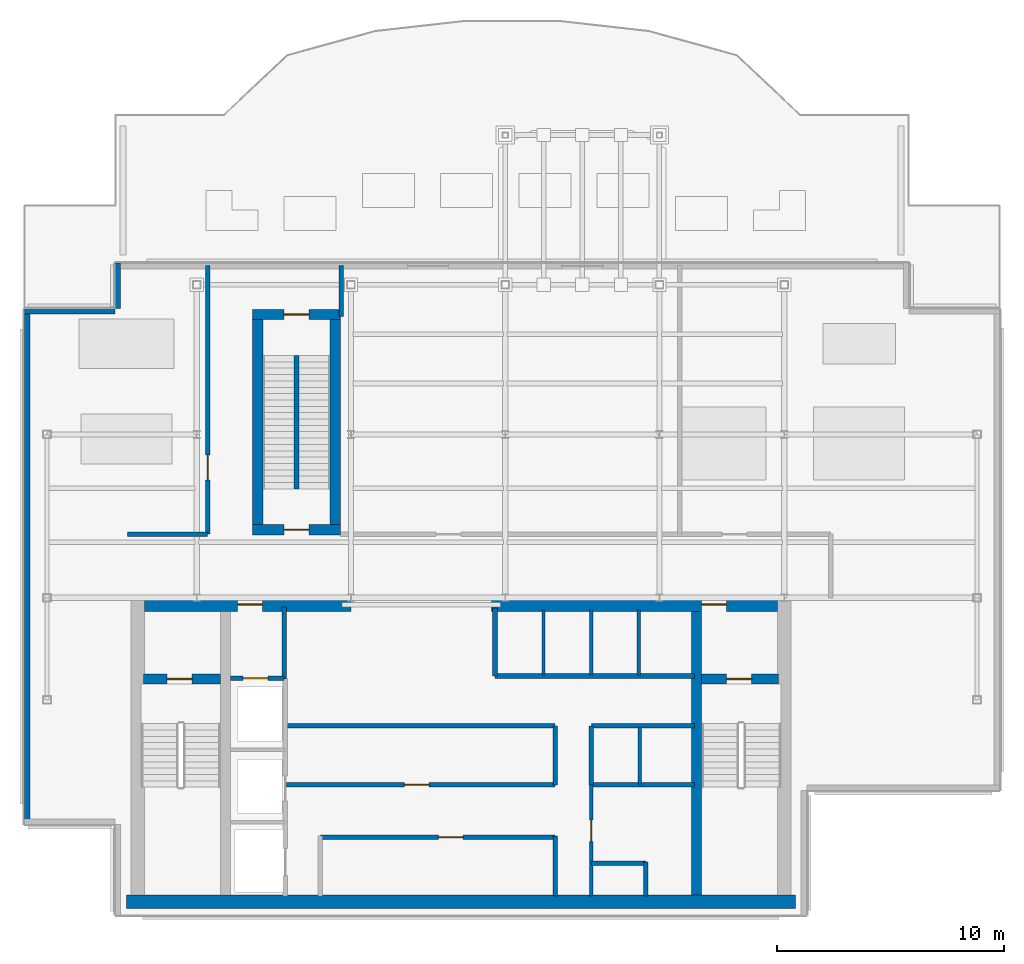
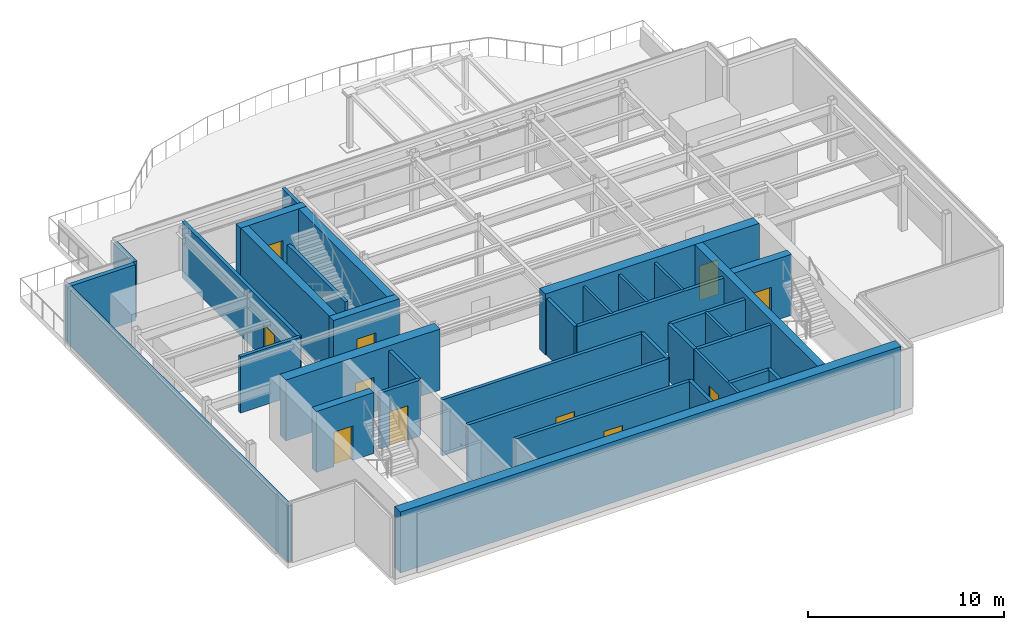
# One storey, part 4 of 9: 36 walls, 11 doors, 11 openings.
"""IFC4 building model written with IfcOpenShell, lengths in metres."""

from ifc_helpers import new_model, si_unit, derived_unit, direction, frame, frame_2d, origin, place, context, subcontext, project, spatial, rectangle, extrude, source, transform, mapped, material, layer, layer_set, type_object, element, fill, save


model = new_model("IFC4")

# Units and contexts
model_context = context("Model", 3, precision=1e-05, world=origin(), true_north=direction((0.0, 1.0)))
body_context = subcontext(model_context, "Body", "Model", "MODEL_VIEW")
ifc_project = project(units=[si_unit("LENGTHUNIT", "METRE"), si_unit("AREAUNIT", "SQUARE_METRE"), si_unit("VOLUMEUNIT", "CUBIC_METRE"), si_unit("PLANEANGLEUNIT", "RADIAN"), si_unit("MASSUNIT", "GRAM", prefix="KILO"), derived_unit("THERMALTRANSMITTANCEUNIT", [(si_unit("POWERUNIT", "WATT"), 1), (si_unit("LENGTHUNIT", "METRE"), -2), (si_unit("THERMODYNAMICTEMPERATUREUNIT", "KELVIN"), -1)])], contexts=[model_context])

# Site, building, storey
site_placement = place(None, origin())
site = spatial("IfcSite", under=ifc_project, at=site_placement, CompositionType="ELEMENT")
building_placement = place(site_placement, origin())
building = spatial("IfcBuilding", under=site, at=building_placement, Name="Skarnbrae Concourse Arena and Tower", CompositionType="ELEMENT")
storey_placement = place(building_placement, frame((0.0, 0.0, 292.25)))
storey = spatial("IfcBuildingStorey", under=building, at=storey_placement, Name="L76", CompositionType="ELEMENT", Elevation=292.25)

# Wall
ifc_material_1 = material(Name="Concrete 50 MPa (C50/60)", Category="concrete")
ifc_layer_1 = layer(ifc_material_1, 0.60009765625)
ifc_layer_set_1 = layer_set([ifc_layer_1], Name="Concrete 50 MPa (C50/60)")
wall_type_1 = type_object("IfcWallType", Name="WALL-CORE-600-C50", PredefinedType="SHEAR", material=ifc_layer_set_1)
shared_shape_1 = source(origin(), body_context, "Body", "SweptSolid", [
    extrude(rectangle(XDim=29.5, YDim=0.60009765625, at=frame_2d((14.75, 0.0))), origin(), (0.0, 0.0, 1.0), 3.800048828125),
])
wall_1_placement = place(storey_placement, frame((4.5, 0.60009765625, 0.0), z_axis=(0.0, 0.0, 1.0), x_axis=(1.0, 0.0, 0.0)))
element("IfcWall", 1, at=wall_1_placement, inside=storey, type_object=wall_type_1, Name="L76 Rear core shear wall CW-S", PredefinedType="SHEAR", context=body_context, shape_type="MappedRepresentation", body=[
    mapped(shared_shape_1, transform((0.0, 0.0, 0.0))),
])

# Wall, opening, door
shared_shape_2 = source(origin(), body_context, "Body", "SweptSolid", [
    extrude(rectangle(XDim=9.099853515625, YDim=0.60009765625, at=frame_2d((4.5498046875, 0.0))), origin(), (0.0, 0.0, 1.0), 3.800048828125),
])
wall_2_placement = place(storey_placement, frame((5.300048828125, 13.699951171875, 0.0), z_axis=(0.0, 0.0, 1.0), x_axis=(1.0, 0.0, 0.0)))
wall_2 = element("IfcWall", 2, at=wall_2_placement, inside=storey, type_object=wall_type_1, Name="L76 Rear core shear wall CW-NW", PredefinedType="SHEAR", context=body_context, shape_type="MappedRepresentation", body=[
    mapped(shared_shape_2, transform((0.0, 0.0, 0.0))),
])
opening_1_placement = place(wall_2_placement, frame((4.10009765625, 0.0, 0.0)))
opening_1 = element("IfcOpeningElement", 3, at=opening_1_placement, cuts=wall_2, Name="Opening DT-03", PredefinedType="OPENING", context=body_context, shape_type="SweptSolid", body=[
    extrude(rectangle(XDim=1.10009765625, YDim=2.14990234375, at=frame_2d((0.550048828125, 1.074951171875))), frame((0.0, 0.31005859375, 0.0), z_axis=(0.0, -1.0, 0.0), x_axis=(1.0, 0.0, 0.0)), (0.0, 0.0, 1.0), 0.6201171875),
])
ifc_material_2 = material(Name="Steel CSA G40.21 350W", Category="steel")
door_type_1 = type_object("IfcDoorType", Name="DOOR-FIRE-1100-90M", OperationType="NOTDEFINED", PredefinedType="DOOR", material=ifc_material_2)
shared_shape_3 = source(origin(), body_context, "Body", "SweptSolid", [
    extrude(rectangle(XDim=1.10009765625, YDim=2.14990234375, at=frame_2d((0.550048828125, 1.074951171875))), frame((0.0, 0.02490234375, 0.0), z_axis=(0.0, -1.0, 0.0), x_axis=(1.0, 0.0, 0.0)), (0.0, 0.0, 1.0), 0.050048828125),
])
door_1_placement = place(opening_1_placement, origin())
door_1 = element("IfcDoor", 4, at=door_1_placement, inside=storey, type_object=door_type_1, Name="D-2295 Firefighting Lobby Exit Door", OperationType="SINGLE_SWING_RIGHT", OverallHeight=2.14990234375, OverallWidth=1.10009765625, PredefinedType="DOOR", context=body_context, shape_type="MappedRepresentation", body=[
    mapped(shared_shape_3, transform((0.0, 0.0, 0.0))),
])
fill(opening_1, door_1)

shared_shape_4 = source(origin(), body_context, "Body", "SweptSolid", [
    extrude(rectangle(XDim=12.599853515625, YDim=0.60009765625, at=frame_2d((6.2998046875, 0.0))), origin(), (0.0, 0.0, 1.0), 3.800048828125),
])
wall_3_placement = place(storey_placement, frame((20.60009765625, 13.699951171875, 0.0), z_axis=(0.0, 0.0, 1.0), x_axis=(1.0, 0.0, 0.0)))
wall_3 = element("IfcWall", 5, at=wall_3_placement, inside=storey, type_object=wall_type_1, Name="L76 Rear core shear wall CW-NE", PredefinedType="SHEAR", context=body_context, shape_type="MappedRepresentation", body=[
    mapped(shared_shape_4, transform((0.0, 0.0, 0.0))),
])
opening_2_placement = place(wall_3_placement, frame((9.25, 0.0, 0.0)))
opening_2 = element("IfcOpeningElement", 6, at=opening_2_placement, cuts=wall_3, Name="Opening DT-03", PredefinedType="OPENING", context=body_context, shape_type="SweptSolid", body=[
    extrude(rectangle(XDim=1.10009765625, YDim=2.14990234375, at=frame_2d((0.550048828125, 1.074951171875))), frame((0.0, 0.31005859375, 0.0), z_axis=(0.0, -1.0, 0.0), x_axis=(1.0, 0.0, 0.0)), (0.0, 0.0, 1.0), 0.6201171875),
])
door_2_placement = place(opening_2_placement, origin())
door_2 = element("IfcDoor", 7, at=door_2_placement, inside=storey, type_object=door_type_1, Name="D-2296 Stair ST-2 Vestibule Door", OperationType="SINGLE_SWING_LEFT", OverallHeight=2.14990234375, OverallWidth=1.10009765625, PredefinedType="DOOR", context=body_context, shape_type="MappedRepresentation", body=[
    mapped(shared_shape_3, transform((0.0, 0.0, 0.0))),
])
fill(opening_2, door_2)

# Wall
ifc_layer_2 = layer(ifc_material_1, 0.449951171875)
ifc_layer_set_2 = layer_set([ifc_layer_2], Name="Concrete 50 MPa (C50/60)")
wall_type_2 = type_object("IfcWallType", Name="WALL-CORE-450-C50", PredefinedType="SHEAR", material=ifc_layer_set_2)
shared_shape_5 = source(origin(), body_context, "Body", "SweptSolid", [
    extrude(rectangle(XDim=12.5, YDim=0.449951171875, at=frame_2d((6.25, 0.0))), origin(), (0.0, 0.0, 1.0), 3.800048828125),
])
wall_4_placement = place(storey_placement, frame((29.635009765625, 0.89990234375, 0.0), z_axis=(0.0, 0.0, 1.0), x_axis=(0.0, 1.0, 0.0)))
element("IfcWall", 8, at=wall_4_placement, inside=storey, type_object=wall_type_2, Name="L76 Rear core shear wall CW-WEB-E", PredefinedType="SHEAR", context=body_context, shape_type="MappedRepresentation", body=[
    mapped(shared_shape_5, transform((0.0, 0.0, 0.0))),
])

# Wall, opening, door
shared_shape_6 = source(origin(), body_context, "Body", "SweptSolid", [
    extrude(rectangle(XDim=3.389892578125, YDim=0.449951171875, at=frame_2d((1.69482421875, 0.0))), origin(), (0.0, 0.0, 1.0), 3.800048828125),
])
wall_5_placement = place(storey_placement, frame((5.25, 10.419921875, 0.0), z_axis=(0.0, 0.0, 1.0), x_axis=(1.0, 0.0, 0.0)))
wall_5 = element("IfcWall", 9, at=wall_5_placement, inside=storey, type_object=wall_type_2, Name="L76 Rear core shear wall CW-ST1-N", PredefinedType="SHEAR", context=body_context, shape_type="MappedRepresentation", body=[
    mapped(shared_shape_6, transform((0.0, 0.0, 0.0))),
])
opening_3_placement = place(wall_5_placement, frame((1.050048828125, 0.0, 0.0)))
opening_3 = element("IfcOpeningElement", 10, at=opening_3_placement, cuts=wall_5, Name="Opening DT-03", PredefinedType="OPENING", context=body_context, shape_type="SweptSolid", body=[
    extrude(rectangle(XDim=1.10009765625, YDim=2.14990234375, at=frame_2d((0.550048828125, 1.074951171875))), frame((0.0, 0.23486328125, 0.0), z_axis=(0.0, -1.0, 0.0), x_axis=(1.0, 0.0, 0.0)), (0.0, 0.0, 1.0), 0.469970703125),
])
door_3_placement = place(opening_3_placement, frame((1.10009765625, 0.0, 0.0), z_axis=(0.0, 0.0, 1.0), x_axis=(-1.0, 0.0, 0.0)))
door_3 = element("IfcDoor", 11, at=door_3_placement, inside=storey, type_object=door_type_1, Name="D-2293 Stair ST-1 Door", OperationType="SINGLE_SWING_LEFT", OverallHeight=2.14990234375, OverallWidth=1.10009765625, PredefinedType="DOOR", context=body_context, shape_type="MappedRepresentation", body=[
    mapped(shared_shape_3, transform((0.0, 0.0, 0.0))),
])
fill(opening_3, door_3)

wall_6_placement = place(storey_placement, frame((29.860107421875, 10.419921875, 0.0), z_axis=(0.0, 0.0, 1.0), x_axis=(1.0, 0.0, 0.0)))
wall_6 = element("IfcWall", 12, at=wall_6_placement, inside=storey, type_object=wall_type_2, Name="L76 Rear core shear wall CW-ST2-N", PredefinedType="SHEAR", context=body_context, shape_type="MappedRepresentation", body=[
    mapped(shared_shape_6, transform((0.0, 0.0, 0.0))),
])
opening_4_placement = place(wall_6_placement, frame((1.10009765625, 0.0, 0.0)))
opening_4 = element("IfcOpeningElement", 13, at=opening_4_placement, cuts=wall_6, Name="Opening DT-03", PredefinedType="OPENING", context=body_context, shape_type="SweptSolid", body=[
    extrude(rectangle(XDim=1.10009765625, YDim=2.14990234375, at=frame_2d((0.550048828125, 1.074951171875))), frame((0.0, 0.23486328125, 0.0), z_axis=(0.0, -1.0, 0.0), x_axis=(1.0, 0.0, 0.0)), (0.0, 0.0, 1.0), 0.469970703125),
])
door_4_placement = place(opening_4_placement, frame((1.10009765625, 0.0, 0.0), z_axis=(0.0, 0.0, 1.0), x_axis=(-1.0, 0.0, 0.0)))
door_4 = element("IfcDoor", 14, at=door_4_placement, inside=storey, type_object=door_type_1, Name="D-2294 Stair ST-2 Door", OperationType="SINGLE_SWING_RIGHT", OverallHeight=2.14990234375, OverallWidth=1.10009765625, PredefinedType="DOOR", context=body_context, shape_type="MappedRepresentation", body=[
    mapped(shared_shape_3, transform((0.0, 0.0, 0.0))),
])
fill(opening_4, door_4)

# Walls
ifc_material_3 = material(Name="Precast concrete 40 MPa (C40/50)", Category="concrete")
ifc_layer_3 = layer(ifc_material_3, 0.25)
ifc_layer_set_3 = layer_set([ifc_layer_3], Name="Precast concrete 40 MPa (C40/50)")
wall_type_3 = type_object("IfcWallType", Name="WALL-CROWN-BRONZE-250", PredefinedType="STANDARD", material=ifc_layer_set_3)
shared_shape_7 = source(origin(), body_context, "Body", "SweptSolid", [
    extrude(rectangle(XDim=4.0, YDim=0.25, at=frame_2d((2.0, 0.0))), origin(), (0.0, 0.0, 1.0), 3.5),
])
wall_7_placement = place(storey_placement, frame((4.0, 26.625, 0.0), z_axis=(0.0, 0.0, 1.0), x_axis=(-1.0, 0.0, 0.0)))
element("IfcWall", 15, at=wall_7_placement, inside=storey, type_object=wall_type_3, Name="L76 Crown enclosure wall 09", PredefinedType="STANDARD", context=body_context, shape_type="MappedRepresentation", body=[
    mapped(shared_shape_7, transform((0.0, 0.0, 0.0))),
])
shared_shape_8 = source(origin(), body_context, "Body", "SweptSolid", [
    extrude(rectangle(XDim=2.0, YDim=0.25, at=frame_2d((1.0, 0.0))), origin(), (0.0, 0.0, 1.0), 3.5),
])
wall_8_placement = place(storey_placement, frame((4.125, 28.75, 0.0), z_axis=(0.0, 0.0, 1.0), x_axis=(0.0, -1.0, 0.0)))
element("IfcWall", 16, at=wall_8_placement, inside=storey, type_object=wall_type_3, Name="L76 Crown enclosure wall 08", PredefinedType="STANDARD", context=body_context, shape_type="MappedRepresentation", body=[
    mapped(shared_shape_8, transform((0.0, 0.0, 0.0))),
])
shared_shape_9 = source(origin(), body_context, "Body", "SweptSolid", [
    extrude(rectangle(XDim=22.75, YDim=0.25, at=frame_2d((11.375, 0.0))), origin(), (0.0, 0.0, 1.0), 3.5),
])
wall_9_placement = place(storey_placement, frame((0.125, 26.75, 0.0), z_axis=(0.0, 0.0, 1.0), x_axis=(0.0, -1.0, 0.0)))
element("IfcWall", 17, at=wall_9_placement, inside=storey, type_object=wall_type_3, Name="L76 Crown enclosure wall 10", PredefinedType="STANDARD", context=body_context, shape_type="MappedRepresentation", body=[
    mapped(shared_shape_9, transform((0.0, 0.0, 0.0))),
])

# Wall, opening, door
shared_shape_10 = source(origin(), body_context, "Body", "SweptSolid", [
    extrude(rectangle(XDim=3.89990234375, YDim=0.449951171875, at=frame_2d((1.949951171875, 0.0))), origin(), (0.0, 0.0, 1.0), 3.800048828125),
])
wall_10_placement = place(storey_placement, frame((10.050048828125, 16.9951171875, 0.0), z_axis=(0.0, 0.0, 1.0), x_axis=(1.0, 0.0, 0.0)))
wall_10 = element("IfcWall", 18, at=wall_10_placement, inside=storey, type_object=wall_type_2, Name="L76 Protected stair shaft wall ST-CRWN-S", PredefinedType="SHEAR", context=body_context, shape_type="MappedRepresentation", body=[
    mapped(shared_shape_10, transform((0.0, 0.0, 0.0))),
])
opening_5_placement = place(wall_10_placement, frame((1.39990234375, 0.0, 0.0)))
opening_5 = element("IfcOpeningElement", 19, at=opening_5_placement, cuts=wall_10, Name="Opening DT-03", PredefinedType="OPENING", context=body_context, shape_type="SweptSolid", body=[
    extrude(rectangle(XDim=1.10009765625, YDim=2.14990234375, at=frame_2d((0.550048828125, 1.074951171875))), frame((0.0, 0.23486328125, 0.0), z_axis=(0.0, -1.0, 0.0), x_axis=(1.0, 0.0, 0.0)), (0.0, 0.0, 1.0), 0.469970703125),
])
door_5_placement = place(opening_5_placement, origin())
door_5 = element("IfcDoor", 20, at=door_5_placement, inside=storey, type_object=door_type_1, Name="D-2306 Exit Stair ST-CRWN Door", OperationType="SINGLE_SWING_LEFT", OverallHeight=2.14990234375, OverallWidth=1.10009765625, PredefinedType="DOOR", context=body_context, shape_type="MappedRepresentation", body=[
    mapped(shared_shape_3, transform((0.0, 0.0, 0.0))),
])
fill(opening_5, door_5)

wall_11_placement = place(storey_placement, frame((10.050048828125, 26.485107421875, 0.0), z_axis=(0.0, 0.0, 1.0), x_axis=(1.0, 0.0, 0.0)))
wall_11 = element("IfcWall", 21, at=wall_11_placement, inside=storey, type_object=wall_type_2, Name="L76 Protected stair shaft wall ST-CRWN-N", PredefinedType="SHEAR", context=body_context, shape_type="MappedRepresentation", body=[
    mapped(shared_shape_10, transform((0.0, 0.0, 0.0))),
])
opening_6_placement = place(wall_11_placement, frame((1.39990234375, 0.0, 0.0)))
opening_6 = element("IfcOpeningElement", 22, at=opening_6_placement, cuts=wall_11, Name="Opening DT-03", PredefinedType="OPENING", context=body_context, shape_type="SweptSolid", body=[
    extrude(rectangle(XDim=1.10009765625, YDim=2.14990234375, at=frame_2d((0.550048828125, 1.074951171875))), frame((0.0, 0.23486328125, 0.0), z_axis=(0.0, -1.0, 0.0), x_axis=(1.0, 0.0, 0.0)), (0.0, 0.0, 1.0), 0.469970703125),
])
door_6_placement = place(opening_6_placement, frame((1.10009765625, 0.0, 0.0), z_axis=(0.0, 0.0, 1.0), x_axis=(-1.0, 0.0, 0.0)))
door_6 = element("IfcDoor", 23, at=door_6_placement, inside=storey, type_object=door_type_1, Name="D-2307 Exit Stair ST-CRWN North Door", OperationType="SINGLE_SWING_RIGHT", OverallHeight=2.14990234375, OverallWidth=1.10009765625, PredefinedType="DOOR", context=body_context, shape_type="MappedRepresentation", body=[
    mapped(shared_shape_3, transform((0.0, 0.0, 0.0))),
])
fill(opening_6, door_6)

# Walls
shared_shape_11 = source(origin(), body_context, "Body", "SweptSolid", [
    extrude(rectangle(XDim=9.080078125, YDim=0.449951171875, at=frame_2d((4.5400390625, 0.0))), origin(), (0.0, 0.0, 1.0), 3.800048828125),
])
for number, where, z_axis, x_axis, name in (
    (24, (10.294921875, 17.199951171875, 0.0), (0.0, 0.0, 1.0), (0.0, 1.0, 0.0), "L76 Protected stair shaft wall ST-CRWN-W"),
    (25, (13.705078125, 17.199951171875, 0.0), (0.0, 0.0, 1.0), (0.0, 1.0, 0.0), "L76 Protected stair shaft wall ST-CRWN-E"),
):
    element("IfcWall", number, at=place(storey_placement, frame(where, z_axis=z_axis, x_axis=x_axis)), inside=storey, type_object=wall_type_2, Name=name, PredefinedType="SHEAR", context=body_context, shape_type="MappedRepresentation", body=[
        mapped(shared_shape_11, transform((0.0, 0.0, 0.0))),
    ])
ifc_material_4 = material(Name="Gypsum board on cold-formed steel studs", Category="steel")
ifc_layer_4 = layer(ifc_material_4, 0.199951171875)
ifc_layer_set_4 = layer_set([ifc_layer_4], Name="Gypsum board on cold-formed steel studs")
wall_type_4 = type_object("IfcWallType", Name="WALL-PART-200-2HR", PredefinedType="PARTITIONING", material=ifc_layer_set_4)
shared_shape_12 = source(origin(), body_context, "Body", "SweptSolid", [
    extrude(rectangle(XDim=5.8798828125, YDim=0.199951171875, at=frame_2d((2.93994140625, 0.0))), origin(), (0.0, 0.0, 1.0), 3.080078125),
])
wall_12_placement = place(storey_placement, frame((12.0, 18.800048828125, 0.0), z_axis=(0.0, 0.0, 1.0), x_axis=(0.0, 1.0, 0.0)))
element("IfcWall", 26, at=wall_12_placement, inside=storey, type_object=wall_type_4, Name="L76 Scissor stair dividing wall ST-CRWN", PredefinedType="PARTITIONING", context=body_context, shape_type="MappedRepresentation", body=[
    mapped(shared_shape_12, transform((0.0, 0.0, 0.0))),
])
shared_shape_13 = source(origin(), body_context, "Body", "SweptSolid", [
    extrude(rectangle(XDim=3.18017578125, YDim=0.199951171875, at=frame_2d((1.590087890625, 0.0))), origin(), (0.0, 0.0, 1.0), 3.5),
])
wall_13_placement = place(storey_placement, frame((11.449951171875, 10.419921875, 0.0), z_axis=(0.0, 0.0, 1.0), x_axis=(0.0, 1.0, 0.0)))
element("IfcWall", 27, at=wall_13_placement, inside=storey, type_object=wall_type_4, Name="L76 Interior partition wall W-L76-FFL-E", PredefinedType="PARTITIONING", context=body_context, shape_type="MappedRepresentation", body=[
    mapped(shared_shape_13, transform((0.0, 0.0, 0.0))),
])

# Wall, opening, door
shared_shape_14 = source(origin(), body_context, "Body", "SweptSolid", [
    extrude(rectangle(XDim=2.349853515625, YDim=0.199951171875, at=frame_2d((1.1748046875, 0.0))), origin(), (0.0, 0.0, 1.0), 3.5),
])
wall_14_placement = place(storey_placement, frame((9.10009765625, 10.449951171875, 0.0), z_axis=(0.0, 0.0, 1.0), x_axis=(1.0, 0.0, 0.0)))
wall_14 = element("IfcWall", 28, at=wall_14_placement, inside=storey, type_object=wall_type_4, Name="L76 Interior partition wall W-L76-FL1-N", PredefinedType="PARTITIONING", context=body_context, shape_type="MappedRepresentation", body=[
    mapped(shared_shape_14, transform((0.0, 0.0, 0.0))),
])
opening_7_placement = place(wall_14_placement, frame((0.550048828125, 0.0, 0.0)))
opening_7 = element("IfcOpeningElement", 29, at=opening_7_placement, cuts=wall_14, Name="Opening LD-01", PredefinedType="OPENING", context=body_context, shape_type="SweptSolid", body=[
    extrude(rectangle(XDim=1.10009765625, YDim=2.14990234375, at=frame_2d((0.550048828125, 1.074951171875))), frame((0.0, 0.10986328125, 0.0), z_axis=(0.0, -1.0, 0.0), x_axis=(1.0, 0.0, 0.0)), (0.0, 0.0, 1.0), 0.219970703125),
])
door_type_2 = type_object("IfcDoorType", Name="DOOR-LIFT-SLIDE-1100", OperationType="SLIDING_TO_LEFT", PredefinedType="DOOR", material=ifc_material_2)
door_7_placement = place(opening_7_placement, origin())
door_7 = element("IfcDoor", 30, at=door_7_placement, inside=storey, type_object=door_type_2, Name="D-2297 Firefighting Lift Landing Door FL-01", OperationType="SLIDING_TO_LEFT", OverallHeight=2.14990234375, OverallWidth=1.10009765625, PredefinedType="DOOR", context=body_context, shape_type="MappedRepresentation", body=[
    mapped(shared_shape_3, transform((0.0, 0.0, 0.0))),
])
fill(opening_7, door_7)

# Wall
shared_shape_15 = source(origin(), body_context, "Body", "SweptSolid", [
    extrude(rectangle(XDim=2.64990234375, YDim=0.199951171875, at=frame_2d((1.324951171875, 0.0))), origin(), (0.0, 0.0, 1.0), 3.5),
])
wall_15_placement = place(storey_placement, frame((23.39990234375, 0.85009765625, 0.0), z_axis=(0.0, 0.0, 1.0), x_axis=(0.0, 1.0, 0.0)))
element("IfcWall", 31, at=wall_15_placement, inside=storey, type_object=wall_type_4, Name="L76 Interior partition wall W-L76-B1B-E", PredefinedType="PARTITIONING", context=body_context, shape_type="MappedRepresentation", body=[
    mapped(shared_shape_15, transform((0.0, 0.0, 0.0))),
])

# Wall, opening, door
shared_shape_16 = source(origin(), body_context, "Body", "SweptSolid", [
    extrude(rectangle(XDim=10.349853515625, YDim=0.199951171875, at=frame_2d((5.1748046875, 0.0))), origin(), (0.0, 0.0, 1.0), 3.5),
])
wall_16_placement = place(storey_placement, frame((13.050048828125, 3.449951171875, 0.0), z_axis=(0.0, 0.0, 1.0), x_axis=(1.0, 0.0, 0.0)))
wall_16 = element("IfcWall", 32, at=wall_16_placement, inside=storey, type_object=wall_type_4, Name="L76 Interior partition wall W-L76-B1B-N", PredefinedType="PARTITIONING", context=body_context, shape_type="MappedRepresentation", body=[
    mapped(shared_shape_16, transform((0.0, 0.0, 0.0))),
])
opening_8_placement = place(wall_16_placement, frame((5.199951171875, 0.0, 0.0)))
opening_8 = element("IfcOpeningElement", 33, at=opening_8_placement, cuts=wall_16, Name="Opening DT-03", PredefinedType="OPENING", context=body_context, shape_type="SweptSolid", body=[
    extrude(rectangle(XDim=1.10009765625, YDim=2.14990234375, at=frame_2d((0.550048828125, 1.074951171875))), frame((0.0, 0.10986328125, 0.0), z_axis=(0.0, -1.0, 0.0), x_axis=(1.0, 0.0, 0.0)), (0.0, 0.0, 1.0), 0.219970703125),
])
door_8_placement = place(opening_8_placement, origin())
door_8 = element("IfcDoor", 34, at=door_8_placement, inside=storey, type_object=door_type_1, Name="D-2300 Core Plant Door", OperationType="SINGLE_SWING_LEFT", OverallHeight=2.14990234375, OverallWidth=1.10009765625, PredefinedType="DOOR", context=body_context, shape_type="MappedRepresentation", body=[
    mapped(shared_shape_3, transform((0.0, 0.0, 0.0))),
])
fill(opening_8, door_8)

shared_shape_17 = source(origin(), body_context, "Body", "SweptSolid", [
    extrude(rectangle(XDim=11.849853515625, YDim=0.199951171875, at=frame_2d((5.9248046875, 0.0))), origin(), (0.0, 0.0, 1.0), 3.5),
])
wall_17_placement = place(storey_placement, frame((11.550048828125, 5.75, 0.0), z_axis=(0.0, 0.0, 1.0), x_axis=(1.0, 0.0, 0.0)))
wall_17 = element("IfcWall", 35, at=wall_17_placement, inside=storey, type_object=wall_type_4, Name="L76 Interior partition wall W-L76-B2B-S", PredefinedType="PARTITIONING", context=body_context, shape_type="MappedRepresentation", body=[
    mapped(shared_shape_17, transform((0.0, 0.0, 0.0))),
])
opening_9_placement = place(wall_17_placement, frame((5.199951171875, 0.0, 0.0)))
opening_9 = element("IfcOpeningElement", 36, at=opening_9_placement, cuts=wall_17, Name="Opening DT-03", PredefinedType="OPENING", context=body_context, shape_type="SweptSolid", body=[
    extrude(rectangle(XDim=1.10009765625, YDim=2.14990234375, at=frame_2d((0.550048828125, 1.074951171875))), frame((0.0, 0.10986328125, 0.0), z_axis=(0.0, -1.0, 0.0), x_axis=(1.0, 0.0, 0.0)), (0.0, 0.0, 1.0), 0.219970703125),
])
door_9_placement = place(opening_9_placement, frame((1.10009765625, 0.0, 0.0), z_axis=(0.0, 0.0, 1.0), x_axis=(-1.0, 0.0, 0.0)))
door_9 = element("IfcDoor", 37, at=door_9_placement, inside=storey, type_object=door_type_1, Name="D-2301 Core Machine Room Door", OperationType="SINGLE_SWING_RIGHT", OverallHeight=2.14990234375, OverallWidth=1.10009765625, PredefinedType="DOOR", context=body_context, shape_type="MappedRepresentation", body=[
    mapped(shared_shape_3, transform((0.0, 0.0, 0.0))),
])
fill(opening_9, door_9)

# Wall
wall_18_placement = place(storey_placement, frame((11.550048828125, 8.35009765625, 0.0), z_axis=(0.0, 0.0, 1.0), x_axis=(1.0, 0.0, 0.0)))
element("IfcWall", 38, at=wall_18_placement, inside=storey, type_object=wall_type_4, Name="L76 Interior partition wall W-L76-B2B-N", PredefinedType="PARTITIONING", context=body_context, shape_type="MappedRepresentation", body=[
    mapped(shared_shape_17, transform((0.0, 0.0, 0.0))),
])

# Wall, opening, door
wall_19_placement = place(storey_placement, frame((8.080078125, 16.800048828125, 0.0), z_axis=(0.0, 0.0, 1.0), x_axis=(0.0, 1.0, 0.0)))
wall_19 = element("IfcWall", 39, at=wall_19_placement, inside=storey, type_object=wall_type_4, Name="L76 Interior partition wall W-L76-CW1", PredefinedType="PARTITIONING", context=body_context, shape_type="MappedRepresentation", body=[
    mapped(shared_shape_17, transform((0.0, 0.0, 0.0))),
])
opening_10_placement = place(wall_19_placement, frame((2.39990234375, 0.0, 0.0)))
opening_10 = element("IfcOpeningElement", 40, at=opening_10_placement, cuts=wall_19, Name="Opening DT-03", PredefinedType="OPENING", context=body_context, shape_type="SweptSolid", body=[
    extrude(rectangle(XDim=1.10009765625, YDim=2.14990234375, at=frame_2d((0.550048828125, 1.074951171875))), frame((0.0, 0.10986328125, 0.0), z_axis=(0.0, -1.0, 0.0), x_axis=(1.0, 0.0, 0.0)), (0.0, 0.0, 1.0), 0.219970703125),
])
door_10_placement = place(opening_10_placement, frame((1.10009765625, 0.0, 0.0), z_axis=(0.0, 0.0, 1.0), x_axis=(-1.0, 0.0, 0.0)))
door_10 = element("IfcDoor", 41, at=door_10_placement, inside=storey, type_object=door_type_1, Name="D-2303 Crown Chiller Door", OperationType="SINGLE_SWING_LEFT", OverallHeight=2.14990234375, OverallWidth=1.10009765625, PredefinedType="DOOR", context=body_context, shape_type="MappedRepresentation", body=[
    mapped(shared_shape_3, transform((0.0, 0.0, 0.0))),
])
fill(opening_10, door_10)

# Walls
shared_shape_18 = source(origin(), body_context, "Body", "SweptSolid", [
    extrude(rectangle(XDim=2.60009765625, YDim=0.199951171875, at=frame_2d((1.300048828125, 0.0))), origin(), (0.0, 0.0, 1.0), 3.5),
])
for number, where, z_axis, x_axis, name in (
    (42, (23.39990234375, 5.75, 0.0), (0.0, 0.0, 1.0), (0.0, 1.0, 0.0), "L76 Interior partition wall W-L76-B2B-E"),
    (43, (25.0, 5.75, 0.0), (0.0, 0.0, 1.0), (0.0, 1.0, 0.0), "L76 Interior partition wall W-L76-B3S-W"),
):
    element("IfcWall", number, at=place(storey_placement, frame(where, z_axis=z_axis, x_axis=x_axis)), inside=storey, type_object=wall_type_4, Name=name, PredefinedType="PARTITIONING", context=body_context, shape_type="MappedRepresentation", body=[
        mapped(shared_shape_18, transform((0.0, 0.0, 0.0))),
    ])
shared_shape_19 = source(origin(), body_context, "Body", "SweptSolid", [
    extrude(rectangle(XDim=8.800048828125, YDim=0.199951171875, at=frame_2d((4.39990234375, 0.0))), origin(), (0.0, 0.0, 1.0), 3.5),
])
wall_20_placement = place(storey_placement, frame((20.75, 10.550048828125, 0.0), z_axis=(0.0, 0.0, 1.0), x_axis=(1.0, 0.0, 0.0)))
element("IfcWall", 44, at=wall_20_placement, inside=storey, type_object=wall_type_4, Name="L76 Interior partition wall W-L76-B3N-S", PredefinedType="PARTITIONING", context=body_context, shape_type="MappedRepresentation", body=[
    mapped(shared_shape_19, transform((0.0, 0.0, 0.0))),
])
shared_shape_20 = source(origin(), body_context, "Body", "SweptSolid", [
    extrude(rectangle(XDim=3.0, YDim=0.199951171875, at=frame_2d((1.5, 0.0))), origin(), (0.0, 0.0, 1.0), 3.5),
])
wall_21_placement = place(storey_placement, frame((20.75, 10.550048828125, 0.0), z_axis=(0.0, 0.0, 1.0), x_axis=(0.0, 1.0, 0.0)))
element("IfcWall", 45, at=wall_21_placement, inside=storey, type_object=wall_type_4, Name="L76 Interior partition wall W-L76-B3N-W", PredefinedType="PARTITIONING", context=body_context, shape_type="MappedRepresentation", body=[
    mapped(shared_shape_20, transform((0.0, 0.0, 0.0))),
])
ifc_layer_5 = layer(ifc_material_4, 0.14990234375)
ifc_layer_set_5 = layer_set([ifc_layer_5], Name="Gypsum board on cold-formed steel studs")
wall_type_5 = type_object("IfcWallType", Name="WALL-PART-150", PredefinedType="PARTITIONING", material=ifc_layer_set_5)
shared_shape_21 = source(origin(), body_context, "Body", "SweptSolid", [
    extrude(rectangle(XDim=2.849853515625, YDim=0.14990234375, at=frame_2d((1.4248046875, 0.0))), origin(), (0.0, 0.0, 1.0), 3.5),
])
for number, where, z_axis, x_axis, name in (
    (46, (22.889892578125, 10.60009765625, 0.0), (0.0, 0.0, 1.0), (0.0, 1.0, 0.0), "L76 Interior partition wall W-L76-B3N-P1"),
    (47, (24.989990234375, 10.60009765625, 0.0), (0.0, 0.0, 1.0), (0.0, 1.0, 0.0), "L76 Interior partition wall W-L76-B3N-P2"),
    (48, (27.090087890625, 10.60009765625, 0.0), (0.0, 0.0, 1.0), (0.0, 1.0, 0.0), "L76 Interior partition wall W-L76-B3N-P3"),
):
    element("IfcWall", number, at=place(storey_placement, frame(where, z_axis=z_axis, x_axis=x_axis)), inside=storey, type_object=wall_type_5, Name=name, PredefinedType="PARTITIONING", context=body_context, shape_type="MappedRepresentation", body=[
        mapped(shared_shape_21, transform((0.0, 0.0, 0.0))),
    ])
shared_shape_22 = source(origin(), body_context, "Body", "SweptSolid", [
    extrude(rectangle(XDim=4.550048828125, YDim=0.199951171875, at=frame_2d((2.27490234375, 0.0))), origin(), (0.0, 0.0, 1.0), 3.5),
])
for number, where, z_axis, x_axis, name in (
    (49, (25.0, 8.35009765625, 0.0), (0.0, 0.0, 1.0), (1.0, 0.0, 0.0), "L76 Interior partition wall W-L76-B3S-N"),
    (50, (25.0, 5.75, 0.0), (0.0, 0.0, 1.0), (1.0, 0.0, 0.0), "L76 Interior partition wall W-L76-B3S-S"),
):
    element("IfcWall", number, at=place(storey_placement, frame(where, z_axis=z_axis, x_axis=x_axis)), inside=storey, type_object=wall_type_4, Name=name, PredefinedType="PARTITIONING", context=body_context, shape_type="MappedRepresentation", body=[
        mapped(shared_shape_22, transform((0.0, 0.0, 0.0))),
    ])
shared_shape_23 = source(origin(), body_context, "Body", "SweptSolid", [
    extrude(rectangle(XDim=2.5, YDim=0.14990234375, at=frame_2d((1.25, 0.0))), origin(), (0.0, 0.0, 1.0), 3.5),
])
wall_22_placement = place(storey_placement, frame((27.139892578125, 5.800048828125, 0.0), z_axis=(0.0, 0.0, 1.0), x_axis=(0.0, 1.0, 0.0)))
element("IfcWall", 51, at=wall_22_placement, inside=storey, type_object=wall_type_5, Name="L76 Interior partition wall W-L76-B3S-P1", PredefinedType="PARTITIONING", context=body_context, shape_type="MappedRepresentation", body=[
    mapped(shared_shape_23, transform((0.0, 0.0, 0.0))),
])

# Wall, opening, door
ifc_layer_6 = layer(ifc_material_4, 0.14990234375)
ifc_layer_set_6 = layer_set([ifc_layer_6], Name="Gypsum board on cold-formed steel studs")
wall_type_6 = type_object("IfcWallType", Name="WALL-PART-150-1HR", PredefinedType="PARTITIONING", material=ifc_layer_set_6)
shared_shape_24 = source(origin(), body_context, "Body", "SweptSolid", [
    extrude(rectangle(XDim=4.89990234375, YDim=0.14990234375, at=frame_2d((2.449951171875, 0.0))), origin(), (0.0, 0.0, 1.0), 3.5),
])
wall_23_placement = place(storey_placement, frame((25.0, 0.85009765625, 0.0), z_axis=(0.0, 0.0, 1.0), x_axis=(0.0, 1.0, 0.0)))
wall_23 = element("IfcWall", 52, at=wall_23_placement, inside=storey, type_object=wall_type_6, Name="L76 Interior partition wall W-L76-CSV-W", PredefinedType="PARTITIONING", context=body_context, shape_type="MappedRepresentation", body=[
    mapped(shared_shape_24, transform((0.0, 0.0, 0.0))),
])
opening_11_placement = place(wall_23_placement, frame((2.39990234375, 0.0, 0.0)))
opening_11 = element("IfcOpeningElement", 53, at=opening_11_placement, cuts=wall_23, Name="Opening DT-04", PredefinedType="OPENING", context=body_context, shape_type="SweptSolid", body=[
    extrude(rectangle(XDim=0.949951171875, YDim=2.14990234375, at=frame_2d((0.47509765625, 1.074951171875))), frame((0.0, 0.0849609375, 0.0), z_axis=(0.0, -1.0, 0.0), x_axis=(1.0, 0.0, 0.0)), (0.0, 0.0, 1.0), 0.169921875),
])
door_type_3 = type_object("IfcDoorType", Name="DOOR-INT-950-45M", OperationType="NOTDEFINED", PredefinedType="DOOR", material=ifc_material_2)
shared_shape_25 = source(origin(), body_context, "Body", "SweptSolid", [
    extrude(rectangle(XDim=0.949951171875, YDim=2.14990234375, at=frame_2d((0.47509765625, 1.074951171875))), frame((0.0, 0.02490234375, 0.0), z_axis=(0.0, -1.0, 0.0), x_axis=(1.0, 0.0, 0.0)), (0.0, 0.0, 1.0), 0.050048828125),
])
door_11_placement = place(opening_11_placement, origin())
door_11 = element("IfcDoor", 54, at=door_11_placement, inside=storey, type_object=door_type_3, Name="D-2302 Core Riser Plant Door", OperationType="SINGLE_SWING_LEFT", OverallHeight=2.14990234375, OverallWidth=0.949951171875, PredefinedType="DOOR", context=body_context, shape_type="MappedRepresentation", body=[
    mapped(shared_shape_25, transform((0.0, 0.0, 0.0))),
])
fill(opening_11, door_11)

# Walls
shared_shape_26 = source(origin(), body_context, "Body", "SweptSolid", [
    extrude(rectangle(XDim=2.39990234375, YDim=0.199951171875, at=frame_2d((1.199951171875, 0.0))), origin(), (0.0, 0.0, 1.0), 3.5),
])
wall_24_placement = place(storey_placement, frame((25.0, 2.300048828125, 0.0), z_axis=(0.0, 0.0, 1.0), x_axis=(1.0, 0.0, 0.0)))
element("IfcWall", 55, at=wall_24_placement, inside=storey, type_object=wall_type_4, Name="L76 Interior partition wall W-L76-MEP-N", PredefinedType="PARTITIONING", context=body_context, shape_type="MappedRepresentation", body=[
    mapped(shared_shape_26, transform((0.0, 0.0, 0.0))),
])
shared_shape_27 = source(origin(), body_context, "Body", "SweptSolid", [
    extrude(rectangle(XDim=1.5, YDim=0.199951171875, at=frame_2d((0.75, 0.0))), origin(), (0.0, 0.0, 1.0), 3.5),
])
wall_25_placement = place(storey_placement, frame((27.39990234375, 0.85009765625, 0.0), z_axis=(0.0, 0.0, 1.0), x_axis=(0.0, 1.0, 0.0)))
element("IfcWall", 56, at=wall_25_placement, inside=storey, type_object=wall_type_4, Name="L76 Interior partition wall W-L76-MEP-E", PredefinedType="PARTITIONING", context=body_context, shape_type="MappedRepresentation", body=[
    mapped(shared_shape_27, transform((0.0, 0.0, 0.0))),
])
shared_shape_28 = source(origin(), body_context, "Body", "SweptSolid", [
    extrude(rectangle(XDim=3.530029296875, YDim=0.199951171875, at=frame_2d((1.76513671875, 0.0))), origin(), (0.0, 0.0, 1.0), 3.5),
])
wall_26_placement = place(storey_placement, frame((4.550048828125, 16.800048828125, 0.0), z_axis=(0.0, 0.0, 1.0), x_axis=(1.0, 0.0, 0.0)))
element("IfcWall", 57, at=wall_26_placement, inside=storey, type_object=wall_type_4, Name="L76 Interior partition wall W-L76-CW2", PredefinedType="PARTITIONING", context=body_context, shape_type="MappedRepresentation", body=[
    mapped(shared_shape_28, transform((0.0, 0.0, 0.0))),
])
shared_shape_29 = source(origin(), body_context, "Body", "SweptSolid", [
    extrude(rectangle(XDim=2.25, YDim=0.199951171875, at=frame_2d((1.125, 0.0))), origin(), (0.0, 0.0, 1.0), 3.5),
])
wall_27_placement = place(storey_placement, frame((13.97998046875, 26.39990234375, 0.0), z_axis=(0.0, 0.0, 1.0), x_axis=(0.0, 1.0, 0.0)))
element("IfcWall", 58, at=wall_27_placement, inside=storey, type_object=wall_type_4, Name="L76 Interior partition wall W-L76-D1", PredefinedType="PARTITIONING", context=body_context, shape_type="MappedRepresentation", body=[
    mapped(shared_shape_29, transform((0.0, 0.0, 0.0))),
])

save(model, "model.ifc")
